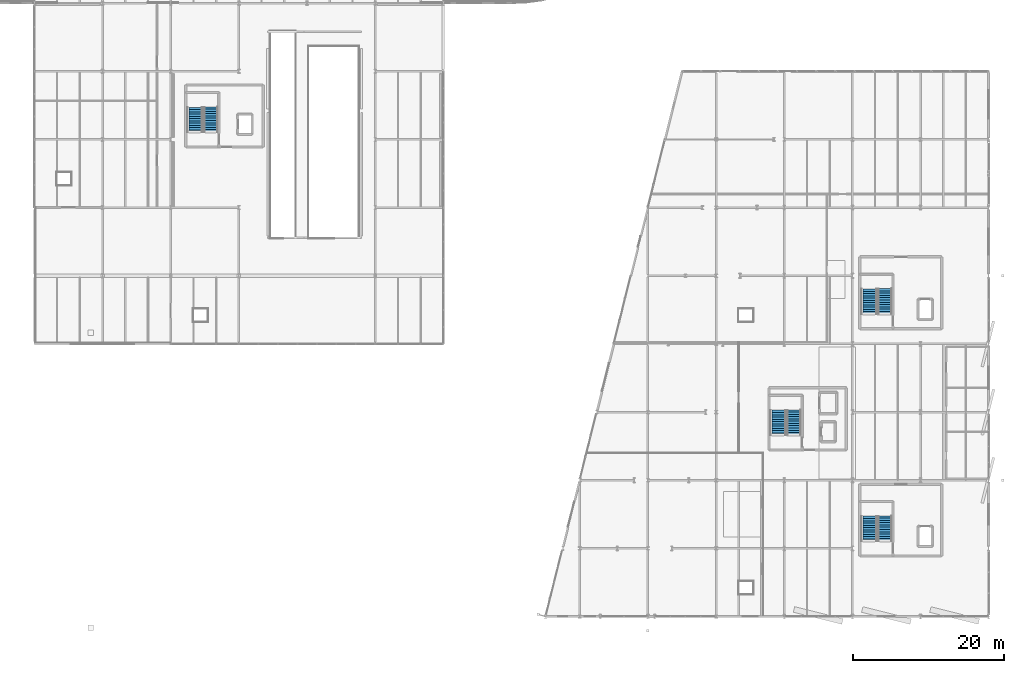
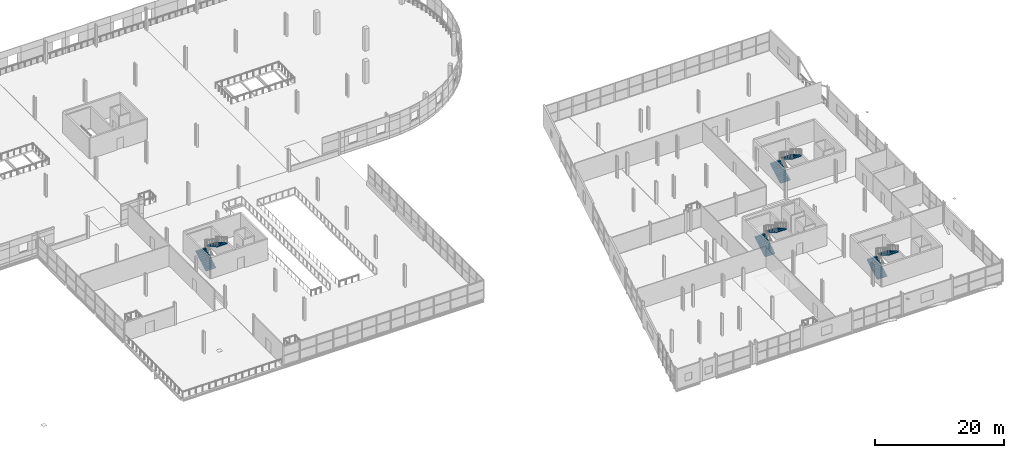
# One storey, part 75 of 88: 8 stair flights, 4 elements without a shape of their own.
"""IFC4 building model written with IfcOpenShell, lengths in metres."""

from ifc_helpers import new_model, si_unit, direction, frame, origin, place, context, subcontext, project, spatial, polyline, outline, extrude, material, type_object, element, aggregate, save


model = new_model("IFC4")

# Units and contexts
model_context = context("Model", 3, precision=1e-05, world=origin(), true_north=direction((0.0, 1.0)))
body_context = subcontext(model_context, "Body", "Model", "MODEL_VIEW")
ifc_project = project(units=[si_unit("LENGTHUNIT", "METRE"), si_unit("AREAUNIT", "SQUARE_METRE"), si_unit("VOLUMEUNIT", "CUBIC_METRE"), si_unit("PLANEANGLEUNIT", "RADIAN"), si_unit("MASSUNIT", "GRAM", prefix="KILO")], contexts=[model_context])

# Site, building, storey
site_placement = place(None, origin())
site = spatial("IfcSite", under=ifc_project, at=site_placement, CompositionType="ELEMENT")
building_placement = place(site_placement, origin())
building = spatial("IfcBuilding", under=site, at=building_placement, Name="Deido Ridge Mobility Hub", CompositionType="ELEMENT")
storey_placement = place(building_placement, frame((0.0, 0.0, 16.800048828125)))
storey = spatial("IfcBuildingStorey", under=building, at=storey_placement, Name="L04", CompositionType="ELEMENT", Elevation=16.800048828125)

# Stair, stair flights
ifc_material = material(Name="Concrete C35/45", Category="concrete")
stair_type_1 = type_object("IfcStairType", Name="ST-CORE-HALF-1520", PredefinedType="HALF_TURN_STAIR", material=ifc_material)
stair_1_placement = place(storey_placement, origin())
stair_1 = element("IfcStair", 1, at=stair_1_placement, inside=storey, type_object=stair_type_1, Name="Protected exit stair ST2 (L04)", PredefinedType="HALF_TURN_STAIR")
stair_flight_type_1 = type_object("IfcStairFlightType", Name="SFL-RC-1520", PredefinedType="STRAIGHT", material=ifc_material)
stair_flight_1_placement = place(storey_placement, frame((164.2900390625, 39.949951171875, 0.0), z_axis=(0.0, 0.0, 1.0), x_axis=(0.0, 1.0, 0.0)))
stair_flight_1 = element("IfcStairFlight", 2, at=stair_flight_1_placement, type_object=stair_flight_type_1, Name="ST2 flight 1", NumberOfRisers=12, NumberOfTreads=11, PredefinedType="STRAIGHT", RiserHeight=0.175, TreadLength=0.3, context=body_context, shape_type="SweptSolid", body=[
    extrude(outline(polyline([(0.0, 0.0), (0.0, 0.175048828125), (0.300048828125, 0.175048828125), (0.300048828125, 0.35009765625), (0.60009765625, 0.35009765625), (0.60009765625, 0.52490234375), (0.89990234375, 0.52490234375), (0.89990234375, 0.699951171875), (1.199951171875, 0.699951171875), (1.199951171875, 0.875), (1.5, 0.875), (1.5, 1.050048828125), (1.800048828125, 1.050048828125), (1.800048828125, 1.22509765625), (2.10009765625, 1.22509765625), (2.10009765625, 1.39990234375), (2.39990234375, 1.39990234375), (2.39990234375, 1.574951171875), (2.699951171875, 1.574951171875), (2.699951171875, 1.75), (3.0, 1.75), (3.0, 1.925048828125), (3.300048828125, 1.925048828125), (3.300048828125, 2.10009765625), (3.300048828125, 1.716796875), (0.357177734375, 0.0), (0.0, 0.0)])), frame((0.0, 0.89013671875, 0.0), z_axis=(0.0, -1.0, 0.0), x_axis=(1.0, 0.0, 0.0)), (0.0, 0.0, 1.0), 1.780029296875),
])
stair_flight_2_placement = place(storey_placement, frame((166.31005859375, 43.300048828125, 2.099853515625), z_axis=(0.0, 0.0, 1.0), x_axis=(0.0, -1.0, 0.0)))
stair_flight_2 = element("IfcStairFlight", 3, at=stair_flight_2_placement, type_object=stair_flight_type_1, Name="ST2 flight 2", NumberOfRisers=12, NumberOfTreads=11, PredefinedType="STRAIGHT", RiserHeight=0.175, TreadLength=0.3, context=body_context, shape_type="SweptSolid", body=[
    extrude(outline(polyline([(0.0, 0.0), (0.0, 0.175048828125), (0.300048828125, 0.175048828125), (0.300048828125, 0.35009765625), (0.60009765625, 0.35009765625), (0.60009765625, 0.52490234375), (0.89990234375, 0.52490234375), (0.89990234375, 0.699951171875), (1.199951171875, 0.699951171875), (1.199951171875, 0.875), (1.5, 0.875), (1.5, 1.050048828125), (1.800048828125, 1.050048828125), (1.800048828125, 1.22509765625), (2.10009765625, 1.22509765625), (2.10009765625, 1.39990234375), (2.39990234375, 1.39990234375), (2.39990234375, 1.574951171875), (2.699951171875, 1.574951171875), (2.699951171875, 1.75), (3.0, 1.75), (3.0, 1.925048828125), (3.300048828125, 1.925048828125), (3.300048828125, 2.10009765625), (3.300048828125, 1.716796875), (0.357177734375, 0.0), (0.0, 0.0)])), frame((0.0, 0.89013671875, 0.0), z_axis=(0.0, -1.0, 0.0), x_axis=(1.0, 0.0, 0.0)), (0.0, 0.0, 1.0), 1.780029296875),
])
aggregate(stair_1, [stair_flight_1, stair_flight_2])

stair_2_placement = place(storey_placement, origin())
stair_2 = element("IfcStair", 4, at=stair_2_placement, inside=storey, type_object=stair_type_1, Name="Protected exit stair ST3 (L04)", PredefinedType="HALF_TURN_STAIR")
stair_flight_3_placement = place(storey_placement, frame((152.2900390625, 23.949951171875, 0.0), z_axis=(0.0, 0.0, 1.0), x_axis=(0.0, 1.0, 0.0)))
stair_flight_3 = element("IfcStairFlight", 5, at=stair_flight_3_placement, type_object=stair_flight_type_1, Name="ST3 flight 1", NumberOfRisers=12, NumberOfTreads=11, PredefinedType="STRAIGHT", RiserHeight=0.175, TreadLength=0.3, context=body_context, shape_type="SweptSolid", body=[
    extrude(outline(polyline([(0.0, 0.0), (0.0, 0.175048828125), (0.300048828125, 0.175048828125), (0.300048828125, 0.35009765625), (0.60009765625, 0.35009765625), (0.60009765625, 0.52490234375), (0.89990234375, 0.52490234375), (0.89990234375, 0.699951171875), (1.199951171875, 0.699951171875), (1.199951171875, 0.875), (1.5, 0.875), (1.5, 1.050048828125), (1.800048828125, 1.050048828125), (1.800048828125, 1.22509765625), (2.10009765625, 1.22509765625), (2.10009765625, 1.39990234375), (2.39990234375, 1.39990234375), (2.39990234375, 1.574951171875), (2.699951171875, 1.574951171875), (2.699951171875, 1.75), (3.0, 1.75), (3.0, 1.925048828125), (3.300048828125, 1.925048828125), (3.300048828125, 2.10009765625), (3.300048828125, 1.716796875), (0.357177734375, 0.0), (0.0, 0.0)])), frame((0.0, 0.89013671875, 0.0), z_axis=(0.0, -1.0, 0.0), x_axis=(1.0, 0.0, 0.0)), (0.0, 0.0, 1.0), 1.780029296875),
])
stair_flight_4_placement = place(storey_placement, frame((154.31005859375, 27.300048828125, 2.099853515625), z_axis=(0.0, 0.0, 1.0), x_axis=(0.0, -1.0, 0.0)))
stair_flight_4 = element("IfcStairFlight", 6, at=stair_flight_4_placement, type_object=stair_flight_type_1, Name="ST3 flight 2", NumberOfRisers=12, NumberOfTreads=11, PredefinedType="STRAIGHT", RiserHeight=0.175, TreadLength=0.3, context=body_context, shape_type="SweptSolid", body=[
    extrude(outline(polyline([(0.0, 0.0), (0.0, 0.175048828125), (0.300048828125, 0.175048828125), (0.300048828125, 0.35009765625), (0.60009765625, 0.35009765625), (0.60009765625, 0.52490234375), (0.89990234375, 0.52490234375), (0.89990234375, 0.699951171875), (1.199951171875, 0.699951171875), (1.199951171875, 0.875), (1.5, 0.875), (1.5, 1.050048828125), (1.800048828125, 1.050048828125), (1.800048828125, 1.22509765625), (2.10009765625, 1.22509765625), (2.10009765625, 1.39990234375), (2.39990234375, 1.39990234375), (2.39990234375, 1.574951171875), (2.699951171875, 1.574951171875), (2.699951171875, 1.75), (3.0, 1.75), (3.0, 1.925048828125), (3.300048828125, 1.925048828125), (3.300048828125, 2.10009765625), (3.300048828125, 1.716796875), (0.357177734375, 0.0), (0.0, 0.0)])), frame((0.0, 0.89013671875, 0.0), z_axis=(0.0, -1.0, 0.0), x_axis=(1.0, 0.0, 0.0)), (0.0, 0.0, 1.0), 1.780029296875),
])
aggregate(stair_2, [stair_flight_3, stair_flight_4])

stair_type_2 = type_object("IfcStairType", Name="ST-CORE-DBL-1520", PredefinedType="DOUBLE_RETURN_STAIR", material=ifc_material)
stair_3_placement = place(storey_placement, origin())
stair_3 = element("IfcStair", 7, at=stair_3_placement, inside=storey, type_object=stair_type_2, Name="Protected exit stair ST4 (L04)", PredefinedType="DOUBLE_RETURN_STAIR")
stair_flight_5_placement = place(storey_placement, frame((75.2900390625, 63.949951171875, 0.0), z_axis=(0.0, 0.0, 1.0), x_axis=(0.0, 1.0, 0.0)))
stair_flight_5 = element("IfcStairFlight", 8, at=stair_flight_5_placement, type_object=stair_flight_type_1, Name="ST4 flight 1", NumberOfRisers=12, NumberOfTreads=11, PredefinedType="STRAIGHT", RiserHeight=0.175, TreadLength=0.3, context=body_context, shape_type="SweptSolid", body=[
    extrude(outline(polyline([(0.0, 0.0), (0.0, 0.175048828125), (0.300048828125, 0.175048828125), (0.300048828125, 0.35009765625), (0.60009765625, 0.35009765625), (0.60009765625, 0.52490234375), (0.89990234375, 0.52490234375), (0.89990234375, 0.699951171875), (1.199951171875, 0.699951171875), (1.199951171875, 0.875), (1.5, 0.875), (1.5, 1.050048828125), (1.800048828125, 1.050048828125), (1.800048828125, 1.22509765625), (2.10009765625, 1.22509765625), (2.10009765625, 1.39990234375), (2.39990234375, 1.39990234375), (2.39990234375, 1.574951171875), (2.699951171875, 1.574951171875), (2.699951171875, 1.75), (3.0, 1.75), (3.0, 1.925048828125), (3.300048828125, 1.925048828125), (3.300048828125, 2.10009765625), (3.300048828125, 1.716796875), (0.357177734375, 0.0), (0.0, 0.0)])), frame((0.0, 0.89013671875, 0.0), z_axis=(0.0, -1.0, 0.0), x_axis=(1.0, 0.0, 0.0)), (0.0, 0.0, 1.0), 1.780029296875),
])
stair_flight_6_placement = place(storey_placement, frame((77.31005859375, 67.300048828125, 2.099853515625), z_axis=(0.0, 0.0, 1.0), x_axis=(0.0, -1.0, 0.0)))
stair_flight_6 = element("IfcStairFlight", 9, at=stair_flight_6_placement, type_object=stair_flight_type_1, Name="ST4 flight 2", NumberOfRisers=12, NumberOfTreads=11, PredefinedType="STRAIGHT", RiserHeight=0.175, TreadLength=0.3, context=body_context, shape_type="SweptSolid", body=[
    extrude(outline(polyline([(0.0, 0.0), (0.0, 0.175048828125), (0.300048828125, 0.175048828125), (0.300048828125, 0.35009765625), (0.60009765625, 0.35009765625), (0.60009765625, 0.52490234375), (0.89990234375, 0.52490234375), (0.89990234375, 0.699951171875), (1.199951171875, 0.699951171875), (1.199951171875, 0.875), (1.5, 0.875), (1.5, 1.050048828125), (1.800048828125, 1.050048828125), (1.800048828125, 1.22509765625), (2.10009765625, 1.22509765625), (2.10009765625, 1.39990234375), (2.39990234375, 1.39990234375), (2.39990234375, 1.574951171875), (2.699951171875, 1.574951171875), (2.699951171875, 1.75), (3.0, 1.75), (3.0, 1.925048828125), (3.300048828125, 1.925048828125), (3.300048828125, 2.10009765625), (3.300048828125, 1.716796875), (0.357177734375, 0.0), (0.0, 0.0)])), frame((0.0, 0.89013671875, 0.0), z_axis=(0.0, -1.0, 0.0), x_axis=(1.0, 0.0, 0.0)), (0.0, 0.0, 1.0), 1.780029296875),
])
aggregate(stair_3, [stair_flight_5, stair_flight_6])

stair_4_placement = place(storey_placement, origin())
stair_4 = element("IfcStair", 10, at=stair_4_placement, inside=storey, type_object=stair_type_1, Name="Protected exit stair ST1 (L04)", PredefinedType="HALF_TURN_STAIR")
stair_flight_type_2 = type_object("IfcStairFlightType", Name="SFL-RC-1560", PredefinedType="STRAIGHT", material=ifc_material)
stair_flight_7_placement = place(storey_placement, frame((164.2900390625, 9.949951171875, 0.0), z_axis=(0.0, 0.0, 1.0), x_axis=(0.0, 1.0, 0.0)))
stair_flight_7 = element("IfcStairFlight", 11, at=stair_flight_7_placement, type_object=stair_flight_type_2, Name="ST1 flight 1", NumberOfRisers=12, NumberOfTreads=11, PredefinedType="STRAIGHT", RiserHeight=0.175, TreadLength=0.3, context=body_context, shape_type="SweptSolid", body=[
    extrude(outline(polyline([(0.0, 0.0), (0.0, 0.175048828125), (0.300048828125, 0.175048828125), (0.300048828125, 0.35009765625), (0.60009765625, 0.35009765625), (0.60009765625, 0.52490234375), (0.89990234375, 0.52490234375), (0.89990234375, 0.699951171875), (1.199951171875, 0.699951171875), (1.199951171875, 0.875), (1.5, 0.875), (1.5, 1.050048828125), (1.800048828125, 1.050048828125), (1.800048828125, 1.22509765625), (2.10009765625, 1.22509765625), (2.10009765625, 1.39990234375), (2.39990234375, 1.39990234375), (2.39990234375, 1.574951171875), (2.699951171875, 1.574951171875), (2.699951171875, 1.75), (3.0, 1.75), (3.0, 1.925048828125), (3.300048828125, 1.925048828125), (3.300048828125, 2.10009765625), (3.300048828125, 1.716796875), (0.357177734375, 0.0), (0.0, 0.0)])), frame((0.0, 0.89013671875, 0.0), z_axis=(0.0, -1.0, 0.0), x_axis=(1.0, 0.0, 0.0)), (0.0, 0.0, 1.0), 1.780029296875),
])
stair_flight_8_placement = place(storey_placement, frame((166.31005859375, 13.300048828125, 2.099853515625), z_axis=(0.0, 0.0, 1.0), x_axis=(0.0, -1.0, 0.0)))
stair_flight_8 = element("IfcStairFlight", 12, at=stair_flight_8_placement, type_object=stair_flight_type_2, Name="ST1 flight 2", NumberOfRisers=12, NumberOfTreads=11, PredefinedType="STRAIGHT", RiserHeight=0.175, TreadLength=0.3, context=body_context, shape_type="SweptSolid", body=[
    extrude(outline(polyline([(0.0, 0.0), (0.0, 0.175048828125), (0.300048828125, 0.175048828125), (0.300048828125, 0.35009765625), (0.60009765625, 0.35009765625), (0.60009765625, 0.52490234375), (0.89990234375, 0.52490234375), (0.89990234375, 0.699951171875), (1.199951171875, 0.699951171875), (1.199951171875, 0.875), (1.5, 0.875), (1.5, 1.050048828125), (1.800048828125, 1.050048828125), (1.800048828125, 1.22509765625), (2.10009765625, 1.22509765625), (2.10009765625, 1.39990234375), (2.39990234375, 1.39990234375), (2.39990234375, 1.574951171875), (2.699951171875, 1.574951171875), (2.699951171875, 1.75), (3.0, 1.75), (3.0, 1.925048828125), (3.300048828125, 1.925048828125), (3.300048828125, 2.10009765625), (3.300048828125, 1.716796875), (0.357177734375, 0.0), (0.0, 0.0)])), frame((0.0, 0.89013671875, 0.0), z_axis=(0.0, -1.0, 0.0), x_axis=(1.0, 0.0, 0.0)), (0.0, 0.0, 1.0), 1.780029296875),
])
aggregate(stair_4, [stair_flight_7, stair_flight_8])

save(model, "model.ifc")
